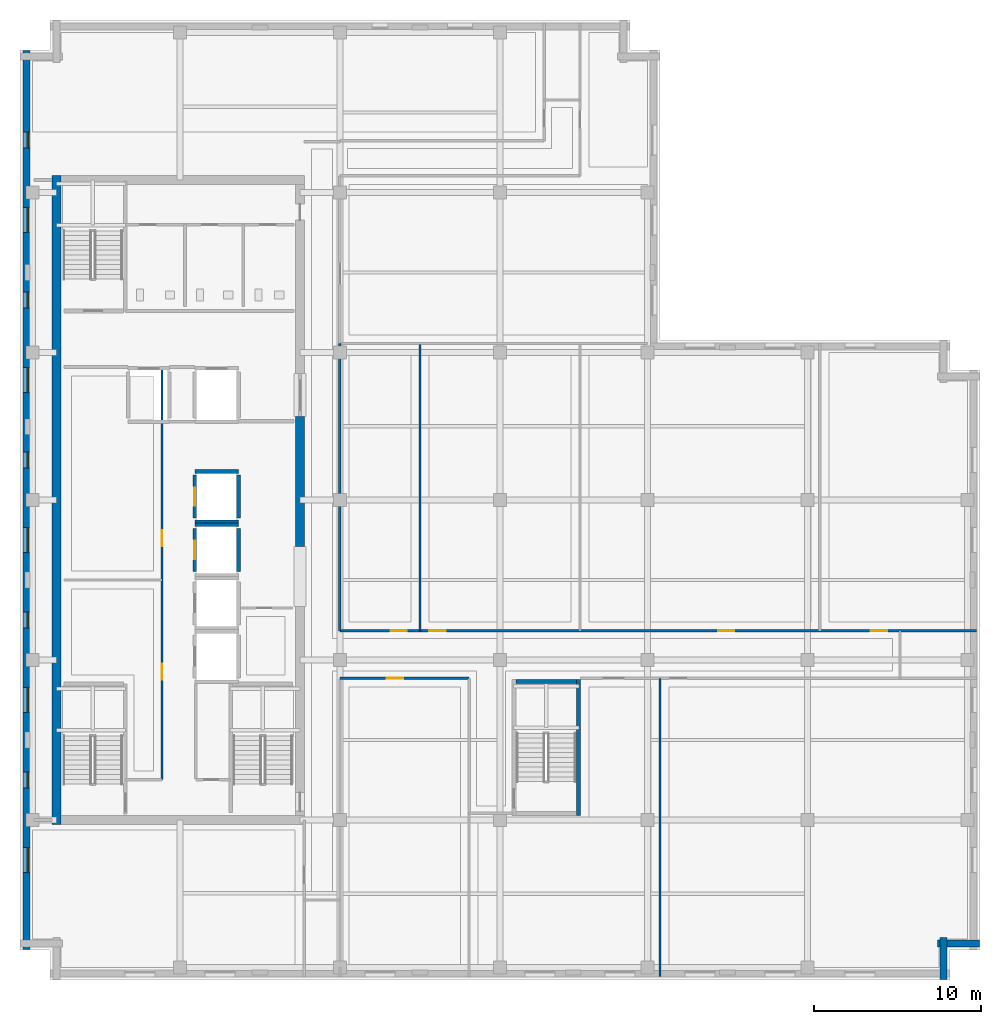
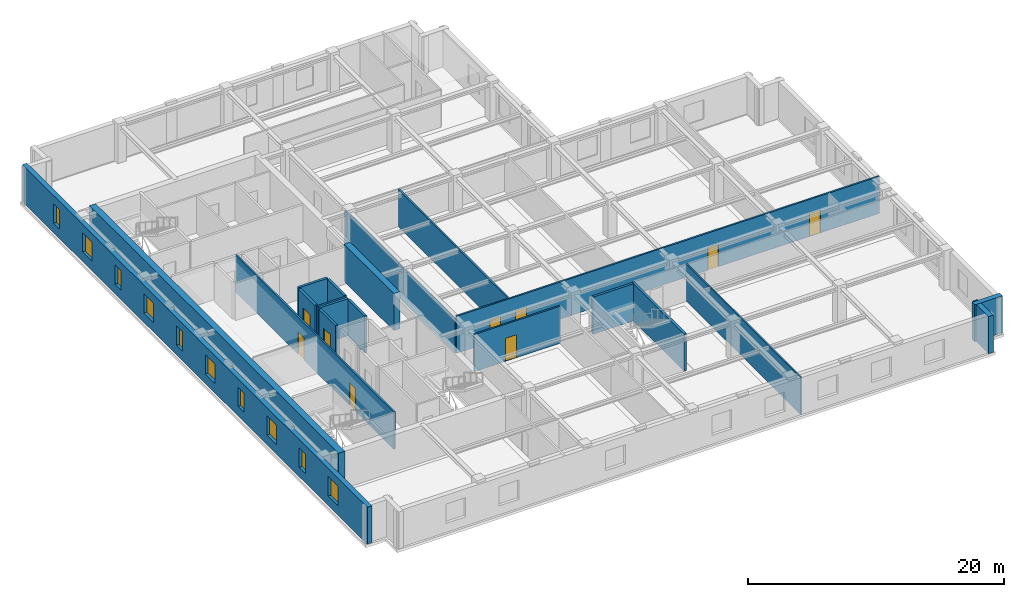
# One storey, part 4 of 10: 20 walls, 10 windows, 9 doors, 19 openings.
"""IFC4 building model written with IfcOpenShell, lengths in metres."""

from ifc_helpers import new_model, si_unit, direction, frame, frame_2d, origin, place, context, subcontext, project, spatial, rectangle, extrude, material, layer, layer_set, type_object, element, fill, save


model = new_model("IFC4")

# Units and contexts
model_context = context("Model", 3, precision=1e-05, world=origin(), true_north=direction((0.0, 1.0)))
body_context = subcontext(model_context, "Body", "Model", "MODEL_VIEW")
ifc_project = project(units=[si_unit("LENGTHUNIT", "METRE"), si_unit("AREAUNIT", "SQUARE_METRE"), si_unit("VOLUMEUNIT", "CUBIC_METRE"), si_unit("PLANEANGLEUNIT", "RADIAN"), si_unit("MASSUNIT", "GRAM", prefix="KILO")], contexts=[model_context])

# Site, building, storey
site_placement = place(None, origin())
site = spatial("IfcSite", under=ifc_project, at=site_placement, CompositionType="ELEMENT")
building_placement = place(site_placement, origin())
building = spatial("IfcBuilding", under=site, at=building_placement, Name="Norrvale University Quadrangle", CompositionType="ELEMENT")
storey_placement = place(building_placement, frame((0.0, 0.0, 233.199951171875)))
storey = spatial("IfcBuildingStorey", under=building, at=storey_placement, Name="L59", CompositionType="ELEMENT", Elevation=233.199951171875)

# Walls
ifc_material_1 = material(Name="Buff Norman Clay Brick Masonry", Category="masonry")
ifc_layer_1 = layer(ifc_material_1, 0.419921875, Name="Buff Norman Clay Brick Masonry")
ifc_layer_set_1 = layer_set([ifc_layer_1], Name="Buff Norman Clay Brick Masonry")
wall_type_1 = type_object("IfcWallType", Name="Wall Buff Brick 420", PredefinedType="SOLIDWALL", material=ifc_layer_set_1)
for number, where, z_axis, x_axis, name in (
    (1, (55.409912109375, 0.0400390625, 0.0), (0.0, 0.0, 1.0), (0.0, 1.0, 0.0), "Exterior Brick Facade Wall L59-02.1"),
    (2, (55.06005859375, 2.18994140625, 0.0), (0.0, 0.0, 1.0), (1.0, 0.0, 0.0), "Exterior Brick Facade Wall L59-03.1"),
):
    element("IfcWall", number, at=place(storey_placement, frame(where, z_axis=z_axis, x_axis=x_axis)), inside=storey, type_object=wall_type_1, Name=name, PredefinedType="SOLIDWALL", context=body_context, shape_type="SweptSolid", body=[
        extrude(rectangle(XDim=2.5, YDim=0.419921875, at=frame_2d((1.25, 0.0))), origin(), (0.0, 0.0, 1.0), 3.5400390625),
    ])

# Wall, openings, windows
wall_1_placement = place(storey_placement, frame((0.389892578125, 55.760009765625, 0.0), z_axis=(0.0, 0.0, 1.0), x_axis=(0.0, -1.0, 0.0)))
wall_1 = element("IfcWall", 3, at=wall_1_placement, inside=storey, type_object=wall_type_1, Name="Exterior Brick Facade Wall L59-14.1", PredefinedType="SOLIDWALL", context=body_context, shape_type="SweptSolid", body=[
    extrude(rectangle(XDim=53.919921875, YDim=0.419921875, at=frame_2d((26.9599609375, 0.0))), origin(), (0.0, 0.0, 1.0), 3.5400390625),
])
opening_1_placement = place(wall_1_placement, frame((4.885009765625, 0.0, 0.89990234375)))
opening_1 = element("IfcOpeningElement", 4, at=opening_1_placement, cuts=wall_1, Name="Opening W04", PredefinedType="OPENING", context=body_context, shape_type="SweptSolid", body=[
    extrude(rectangle(XDim=0.949951171875, YDim=1.85009765625, at=frame_2d((0.47509765625, 0.925048828125))), frame((0.0, 0.221923828125, 0.0), z_axis=(0.0, -1.0, 0.0), x_axis=(1.0, 0.0, 0.0)), (0.0, 0.0, 1.0), 0.44384765625),
])
opening_2_placement = place(wall_1_placement, frame((9.409912109375, 0.0, 0.89990234375)))
opening_2 = element("IfcOpeningElement", 5, at=opening_2_placement, cuts=wall_1, Name="Opening W03", PredefinedType="OPENING", context=body_context, shape_type="SweptSolid", body=[
    extrude(rectangle(XDim=1.5, YDim=1.85009765625, at=frame_2d((0.75, 0.925048828125))), frame((0.0, 0.221923828125, 0.0), z_axis=(0.0, -1.0, 0.0), x_axis=(1.0, 0.0, 0.0)), (0.0, 0.0, 1.0), 0.44384765625),
])
opening_3_placement = place(wall_1_placement, frame((14.485107421875, 0.0, 0.89990234375)))
opening_3 = element("IfcOpeningElement", 6, at=opening_3_placement, cuts=wall_1, Name="Opening W04", PredefinedType="OPENING", context=body_context, shape_type="SweptSolid", body=[
    extrude(rectangle(XDim=0.949951171875, YDim=1.85009765625, at=frame_2d((0.47509765625, 0.925048828125))), frame((0.0, 0.221923828125, 0.0), z_axis=(0.0, -1.0, 0.0), x_axis=(1.0, 0.0, 0.0)), (0.0, 0.0, 1.0), 0.44384765625),
])
opening_4_placement = place(wall_1_placement, frame((19.010009765625, 0.0, 0.89990234375)))
opening_4 = element("IfcOpeningElement", 7, at=opening_4_placement, cuts=wall_1, Name="Opening W03", PredefinedType="OPENING", context=body_context, shape_type="SweptSolid", body=[
    extrude(rectangle(XDim=1.5, YDim=1.85009765625, at=frame_2d((0.75, 0.925048828125))), frame((0.0, 0.221923828125, 0.0), z_axis=(0.0, -1.0, 0.0), x_axis=(1.0, 0.0, 0.0)), (0.0, 0.0, 1.0), 0.44384765625),
])
opening_5_placement = place(wall_1_placement, frame((24.0849609375, 0.0, 0.89990234375)))
opening_5 = element("IfcOpeningElement", 8, at=opening_5_placement, cuts=wall_1, Name="Opening W04", PredefinedType="OPENING", context=body_context, shape_type="SweptSolid", body=[
    extrude(rectangle(XDim=0.949951171875, YDim=1.85009765625, at=frame_2d((0.47509765625, 0.925048828125))), frame((0.0, 0.221923828125, 0.0), z_axis=(0.0, -1.0, 0.0), x_axis=(1.0, 0.0, 0.0)), (0.0, 0.0, 1.0), 0.44384765625),
])
opening_6_placement = place(wall_1_placement, frame((28.610107421875, 0.0, 0.89990234375)))
opening_6 = element("IfcOpeningElement", 9, at=opening_6_placement, cuts=wall_1, Name="Opening W03", PredefinedType="OPENING", context=body_context, shape_type="SweptSolid", body=[
    extrude(rectangle(XDim=1.5, YDim=1.85009765625, at=frame_2d((0.75, 0.925048828125))), frame((0.0, 0.221923828125, 0.0), z_axis=(0.0, -1.0, 0.0), x_axis=(1.0, 0.0, 0.0)), (0.0, 0.0, 1.0), 0.44384765625),
])
opening_7_placement = place(wall_1_placement, frame((33.68505859375, 0.0, 0.89990234375)))
opening_7 = element("IfcOpeningElement", 10, at=opening_7_placement, cuts=wall_1, Name="Opening W04", PredefinedType="OPENING", context=body_context, shape_type="SweptSolid", body=[
    extrude(rectangle(XDim=0.949951171875, YDim=1.85009765625, at=frame_2d((0.47509765625, 0.925048828125))), frame((0.0, 0.221923828125, 0.0), z_axis=(0.0, -1.0, 0.0), x_axis=(1.0, 0.0, 0.0)), (0.0, 0.0, 1.0), 0.44384765625),
])
opening_8_placement = place(wall_1_placement, frame((38.2099609375, 0.0, 0.89990234375)))
opening_8 = element("IfcOpeningElement", 11, at=opening_8_placement, cuts=wall_1, Name="Opening W03", PredefinedType="OPENING", context=body_context, shape_type="SweptSolid", body=[
    extrude(rectangle(XDim=1.5, YDim=1.85009765625, at=frame_2d((0.75, 0.925048828125))), frame((0.0, 0.221923828125, 0.0), z_axis=(0.0, -1.0, 0.0), x_axis=(1.0, 0.0, 0.0)), (0.0, 0.0, 1.0), 0.44384765625),
])
opening_9_placement = place(wall_1_placement, frame((43.284912109375, 0.0, 0.89990234375)))
opening_9 = element("IfcOpeningElement", 12, at=opening_9_placement, cuts=wall_1, Name="Opening W04", PredefinedType="OPENING", context=body_context, shape_type="SweptSolid", body=[
    extrude(rectangle(XDim=0.949951171875, YDim=1.85009765625, at=frame_2d((0.47509765625, 0.925048828125))), frame((0.0, 0.221923828125, 0.0), z_axis=(0.0, -1.0, 0.0), x_axis=(1.0, 0.0, 0.0)), (0.0, 0.0, 1.0), 0.44384765625),
])
opening_10_placement = place(wall_1_placement, frame((47.81005859375, 0.0, 0.89990234375)))
opening_10 = element("IfcOpeningElement", 13, at=opening_10_placement, cuts=wall_1, Name="Opening W03", PredefinedType="OPENING", context=body_context, shape_type="SweptSolid", body=[
    extrude(rectangle(XDim=1.5, YDim=1.85009765625, at=frame_2d((0.75, 0.925048828125))), frame((0.0, 0.221923828125, 0.0), z_axis=(0.0, -1.0, 0.0), x_axis=(1.0, 0.0, 0.0)), (0.0, 0.0, 1.0), 0.44384765625),
])
ifc_material_2 = material(Name="Triple Low-E Argon Glazing", Category="glass")
window_type_1 = type_object("IfcWindowType", Name="Window Narrow Pier 950x2300", PartitioningType="SINGLE_PANEL", PredefinedType="WINDOW", material=ifc_material_2)
window_1_placement = place(opening_1_placement, origin())
window_1 = element("IfcWindow", 14, at=window_1_placement, inside=storey, type_object=window_type_1, Name="Window Narrow Pier 950x2300 WIN-L59-E14-1-01", OverallHeight=1.85009765625, OverallWidth=0.949951171875, PartitioningType="SINGLE_PANEL", PredefinedType="WINDOW", context=body_context, shape_type="SweptSolid", body=[
    extrude(rectangle(XDim=0.949951171875, YDim=1.85009765625, at=frame_2d((0.47509765625, 0.925048828125))), frame((0.0, 0.110107421875, 0.0), z_axis=(0.0, -1.0, 0.0), x_axis=(1.0, 0.0, 0.0)), (0.0, 0.0, 1.0), 0.06005859375),
])
fill(opening_1, window_1)
window_2_placement = place(opening_3_placement, origin())
window_2 = element("IfcWindow", 15, at=window_2_placement, inside=storey, type_object=window_type_1, Name="Window Narrow Pier 950x2300 WIN-L59-E14-1-03", OverallHeight=1.85009765625, OverallWidth=0.949951171875, PartitioningType="SINGLE_PANEL", PredefinedType="WINDOW", context=body_context, shape_type="SweptSolid", body=[
    extrude(rectangle(XDim=0.949951171875, YDim=1.85009765625, at=frame_2d((0.47509765625, 0.925048828125))), frame((0.0, 0.110107421875, 0.0), z_axis=(0.0, -1.0, 0.0), x_axis=(1.0, 0.0, 0.0)), (0.0, 0.0, 1.0), 0.06005859375),
])
fill(opening_3, window_2)
window_3_placement = place(opening_5_placement, origin())
window_3 = element("IfcWindow", 16, at=window_3_placement, inside=storey, type_object=window_type_1, Name="Window Narrow Pier 950x2300 WIN-L59-E14-1-05", OverallHeight=1.85009765625, OverallWidth=0.949951171875, PartitioningType="SINGLE_PANEL", PredefinedType="WINDOW", context=body_context, shape_type="SweptSolid", body=[
    extrude(rectangle(XDim=0.949951171875, YDim=1.85009765625, at=frame_2d((0.47509765625, 0.925048828125))), frame((0.0, 0.110107421875, 0.0), z_axis=(0.0, -1.0, 0.0), x_axis=(1.0, 0.0, 0.0)), (0.0, 0.0, 1.0), 0.06005859375),
])
fill(opening_5, window_3)
window_4_placement = place(opening_7_placement, origin())
window_4 = element("IfcWindow", 17, at=window_4_placement, inside=storey, type_object=window_type_1, Name="Window Narrow Pier 950x2300 WIN-L59-E14-1-07", OverallHeight=1.85009765625, OverallWidth=0.949951171875, PartitioningType="SINGLE_PANEL", PredefinedType="WINDOW", context=body_context, shape_type="SweptSolid", body=[
    extrude(rectangle(XDim=0.949951171875, YDim=1.85009765625, at=frame_2d((0.47509765625, 0.925048828125))), frame((0.0, 0.110107421875, 0.0), z_axis=(0.0, -1.0, 0.0), x_axis=(1.0, 0.0, 0.0)), (0.0, 0.0, 1.0), 0.06005859375),
])
fill(opening_7, window_4)
window_5_placement = place(opening_9_placement, origin())
window_5 = element("IfcWindow", 18, at=window_5_placement, inside=storey, type_object=window_type_1, Name="Window Narrow Pier 950x2300 WIN-L59-E14-1-09", OverallHeight=1.85009765625, OverallWidth=0.949951171875, PartitioningType="SINGLE_PANEL", PredefinedType="WINDOW", context=body_context, shape_type="SweptSolid", body=[
    extrude(rectangle(XDim=0.949951171875, YDim=1.85009765625, at=frame_2d((0.47509765625, 0.925048828125))), frame((0.0, 0.110107421875, 0.0), z_axis=(0.0, -1.0, 0.0), x_axis=(1.0, 0.0, 0.0)), (0.0, 0.0, 1.0), 0.06005859375),
])
fill(opening_9, window_5)
window_type_2 = type_object("IfcWindowType", Name="Window Studio 1500x2300", PartitioningType="DOUBLE_PANEL_VERTICAL", PredefinedType="WINDOW", material=ifc_material_2)
window_6_placement = place(opening_2_placement, origin())
window_6 = element("IfcWindow", 19, at=window_6_placement, inside=storey, type_object=window_type_2, Name="Window Studio 1500x2300 WIN-L59-E14-1-02", OverallHeight=1.85009765625, OverallWidth=1.5, PartitioningType="DOUBLE_PANEL_VERTICAL", PredefinedType="WINDOW", context=body_context, shape_type="SweptSolid", body=[
    extrude(rectangle(XDim=1.5, YDim=1.85009765625, at=frame_2d((0.75, 0.925048828125))), frame((0.0, 0.110107421875, 0.0), z_axis=(0.0, -1.0, 0.0), x_axis=(1.0, 0.0, 0.0)), (0.0, 0.0, 1.0), 0.06005859375),
])
fill(opening_2, window_6)
window_7_placement = place(opening_4_placement, origin())
window_7 = element("IfcWindow", 20, at=window_7_placement, inside=storey, type_object=window_type_2, Name="Window Studio 1500x2300 WIN-L59-E14-1-04", OverallHeight=1.85009765625, OverallWidth=1.5, PartitioningType="DOUBLE_PANEL_VERTICAL", PredefinedType="WINDOW", context=body_context, shape_type="SweptSolid", body=[
    extrude(rectangle(XDim=1.5, YDim=1.85009765625, at=frame_2d((0.75, 0.925048828125))), frame((0.0, 0.110107421875, 0.0), z_axis=(0.0, -1.0, 0.0), x_axis=(1.0, 0.0, 0.0)), (0.0, 0.0, 1.0), 0.06005859375),
])
fill(opening_4, window_7)
window_8_placement = place(opening_6_placement, origin())
window_8 = element("IfcWindow", 21, at=window_8_placement, inside=storey, type_object=window_type_2, Name="Window Studio 1500x2300 WIN-L59-E14-1-06", OverallHeight=1.85009765625, OverallWidth=1.5, PartitioningType="DOUBLE_PANEL_VERTICAL", PredefinedType="WINDOW", context=body_context, shape_type="SweptSolid", body=[
    extrude(rectangle(XDim=1.5, YDim=1.85009765625, at=frame_2d((0.75, 0.925048828125))), frame((0.0, 0.110107421875, 0.0), z_axis=(0.0, -1.0, 0.0), x_axis=(1.0, 0.0, 0.0)), (0.0, 0.0, 1.0), 0.06005859375),
])
fill(opening_6, window_8)
window_9_placement = place(opening_8_placement, origin())
window_9 = element("IfcWindow", 22, at=window_9_placement, inside=storey, type_object=window_type_2, Name="Window Studio 1500x2300 WIN-L59-E14-1-08", OverallHeight=1.85009765625, OverallWidth=1.5, PartitioningType="DOUBLE_PANEL_VERTICAL", PredefinedType="WINDOW", context=body_context, shape_type="SweptSolid", body=[
    extrude(rectangle(XDim=1.5, YDim=1.85009765625, at=frame_2d((0.75, 0.925048828125))), frame((0.0, 0.110107421875, 0.0), z_axis=(0.0, -1.0, 0.0), x_axis=(1.0, 0.0, 0.0)), (0.0, 0.0, 1.0), 0.06005859375),
])
fill(opening_8, window_9)
window_10_placement = place(opening_10_placement, origin())
window_10 = element("IfcWindow", 23, at=window_10_placement, inside=storey, type_object=window_type_2, Name="Window Studio 1500x2300 WIN-L59-E14-1-10", OverallHeight=1.85009765625, OverallWidth=1.5, PartitioningType="DOUBLE_PANEL_VERTICAL", PredefinedType="WINDOW", context=body_context, shape_type="SweptSolid", body=[
    extrude(rectangle(XDim=1.5, YDim=1.85009765625, at=frame_2d((0.75, 0.925048828125))), frame((0.0, 0.110107421875, 0.0), z_axis=(0.0, -1.0, 0.0), x_axis=(1.0, 0.0, 0.0)), (0.0, 0.0, 1.0), 0.06005859375),
])
fill(opening_10, window_10)

# Walls
ifc_material_3 = material(Name="Concrete C60/75", Category="concrete")
ifc_layer_2 = layer(ifc_material_3, 0.550048828125, Name="Concrete C60/75")
ifc_layer_set_2 = layer_set([ifc_layer_2], Name="Concrete C60/75")
wall_type_2 = type_object("IfcWallType", Name="Wall Core 550", PredefinedType="SHEAR", material=ifc_layer_set_2)
wall_2_placement = place(storey_placement, frame((2.199951171875, 9.324951171875, 0.0), z_axis=(0.0, 0.0, 1.0), x_axis=(0.0, 1.0, 0.0)))
element("IfcWall", 24, at=wall_2_placement, inside=storey, type_object=wall_type_2, Name="Tower Core Shear Wall L59-W", PredefinedType="SHEAR", context=body_context, shape_type="SweptSolid", body=[
    extrude(rectangle(XDim=38.949951171875, YDim=0.550048828125, at=frame_2d((19.47509765625, 0.0))), origin(), (0.0, 0.0, 1.0), 3.5400390625),
])
wall_3_placement = place(storey_placement, frame((16.800048828125, 26.0, 0.0), z_axis=(0.0, 0.0, 1.0), x_axis=(0.0, 1.0, 0.0)))
element("IfcWall", 25, at=wall_3_placement, inside=storey, type_object=wall_type_2, Name="Tower Core Shear Wall L59-E2", PredefinedType="SHEAR", context=body_context, shape_type="SweptSolid", body=[
    extrude(rectangle(XDim=7.800048828125, YDim=0.550048828125, at=frame_2d((3.89990234375, 0.0))), origin(), (0.0, 0.0, 1.0), 3.5400390625),
])
ifc_material_4 = material(Name="Standard Academic Gypsum Partition")
ifc_layer_3 = layer(ifc_material_4, 0.125, Name="Standard Academic Gypsum Partition")
ifc_layer_set_3 = layer_set([ifc_layer_3], Name="Standard Academic Gypsum Partition")
wall_type_3 = type_object("IfcWallType", Name="Wall Gypsum Academic 125", PredefinedType="PARTITIONING", material=ifc_layer_set_3)
wall_4_placement = place(storey_placement, frame((38.39990234375, 0.219970703125, 0.0), z_axis=(0.0, 0.0, 1.0), x_axis=(0.0, 1.0, 0.0)))
element("IfcWall", 26, at=wall_4_placement, inside=storey, type_object=wall_type_3, Name="Interior Partition WL-L59-SEP2", PredefinedType="PARTITIONING", context=body_context, shape_type="SweptSolid", body=[
    extrude(rectangle(XDim=17.880126953125, YDim=0.125, at=frame_2d((8.93994140625, 0.0))), origin(), (0.0, 0.0, 1.0), 3.5400390625),
])

# Wall, openings, doors
ifc_material_5 = material(Name="Fire-Rated Gypsum Stud Partition")
ifc_layer_4 = layer(ifc_material_5, 0.14990234375, Name="Fire-Rated Gypsum Stud Partition")
ifc_layer_set_4 = layer_set([ifc_layer_4], Name="Fire-Rated Gypsum Stud Partition")
wall_type_4 = type_object("IfcWallType", Name="Wall Gypsum Corridor 150", PredefinedType="PARTITIONING", material=ifc_layer_set_4)
wall_5_placement = place(storey_placement, frame((8.52001953125, 12.02001953125, 0.0), z_axis=(0.0, 0.0, 1.0), x_axis=(0.0, 1.0, 0.0)))
wall_5 = element("IfcWall", 27, at=wall_5_placement, inside=storey, type_object=wall_type_4, Name="Interior Partition WL-L59-REC-E", PredefinedType="PARTITIONING", context=body_context, shape_type="SweptSolid", body=[
    extrude(rectangle(XDim=24.760009765625, YDim=0.14990234375, at=frame_2d((12.3798828125, 0.0))), origin(), (0.0, 0.0, 1.0), 3.5400390625),
])
opening_11_placement = place(wall_5_placement, frame((6.0, 0.0, 0.0)))
opening_11 = element("IfcOpeningElement", 28, at=opening_11_placement, cuts=wall_5, Name="Opening D07", PredefinedType="OPENING", context=body_context, shape_type="SweptSolid", body=[
    extrude(rectangle(XDim=0.949951171875, YDim=2.14990234375, at=frame_2d((0.47509765625, 1.074951171875))), frame((0.0, 0.0869140625, 0.0), z_axis=(0.0, -1.0, 0.0), x_axis=(1.0, 0.0, 0.0)), (0.0, 0.0, 1.0), 0.173828125),
])
opening_12_placement = place(wall_5_placement, frame((14.0, 0.0, 0.0)))
opening_12 = element("IfcOpeningElement", 29, at=opening_12_placement, cuts=wall_5, Name="Opening D07", PredefinedType="OPENING", context=body_context, shape_type="SweptSolid", body=[
    extrude(rectangle(XDim=0.949951171875, YDim=2.14990234375, at=frame_2d((0.47509765625, 1.074951171875))), frame((0.0, 0.0869140625, 0.0), z_axis=(0.0, -1.0, 0.0), x_axis=(1.0, 0.0, 0.0)), (0.0, 0.0, 1.0), 0.173828125),
])
ifc_material_6 = material(Name="Solid-Core Maple Door", Category="wood")
door_type_1 = type_object("IfcDoorType", Name="Door Office 950x2150", OperationType="NOTDEFINED", PredefinedType="DOOR", material=ifc_material_6)
door_1_placement = place(opening_11_placement, origin())
door_1 = element("IfcDoor", 30, at=door_1_placement, inside=storey, type_object=door_type_1, Name="Door Office 950x2150 DR-L59-REC1", OperationType="SINGLE_SWING_LEFT", OverallHeight=2.14990234375, OverallWidth=0.949951171875, PredefinedType="DOOR", context=body_context, shape_type="SweptSolid", body=[
    extrude(rectangle(XDim=0.949951171875, YDim=2.14990234375, at=frame_2d((0.47509765625, 1.074951171875))), frame((0.0, 0.02490234375, 0.0), z_axis=(0.0, -1.0, 0.0), x_axis=(1.0, 0.0, 0.0)), (0.0, 0.0, 1.0), 0.050048828125),
])
fill(opening_11, door_1)
door_2_placement = place(opening_12_placement, origin())
door_2 = element("IfcDoor", 31, at=door_2_placement, inside=storey, type_object=door_type_1, Name="Door Office 950x2150 DR-L59-REC2", OperationType="SINGLE_SWING_RIGHT", OverallHeight=2.14990234375, OverallWidth=0.949951171875, PredefinedType="DOOR", context=body_context, shape_type="SweptSolid", body=[
    extrude(rectangle(XDim=0.949951171875, YDim=2.14990234375, at=frame_2d((0.47509765625, 1.074951171875))), frame((0.0, 0.02490234375, 0.0), z_axis=(0.0, -1.0, 0.0), x_axis=(1.0, 0.0, 0.0)), (0.0, 0.0, 1.0), 0.050048828125),
])
fill(opening_12, door_2)

# Wall, opening, door
wall_6_placement = place(storey_placement, frame((19.199951171875, 18.10009765625, 0.0), z_axis=(0.0, 0.0, 1.0), x_axis=(1.0, 0.0, 0.0)))
wall_6 = element("IfcWall", 32, at=wall_6_placement, inside=storey, type_object=wall_type_4, Name="Interior Partition WL-L59-SEW1", PredefinedType="PARTITIONING", context=body_context, shape_type="SweptSolid", body=[
    extrude(rectangle(XDim=7.75, YDim=0.14990234375, at=frame_2d((3.875, 0.0))), origin(), (0.0, 0.0, 1.0), 3.5400390625),
])
opening_13_placement = place(wall_6_placement, frame((2.800048828125, 0.0, 0.0)))
opening_13 = element("IfcOpeningElement", 33, at=opening_13_placement, cuts=wall_6, Name="Opening D04", PredefinedType="OPENING", context=body_context, shape_type="SweptSolid", body=[
    extrude(rectangle(XDim=1.0, YDim=2.199951171875, at=frame_2d((0.5, 1.10009765625))), frame((0.0, 0.0869140625, 0.0), z_axis=(0.0, -1.0, 0.0), x_axis=(1.0, 0.0, 0.0)), (0.0, 0.0, 1.0), 0.173828125),
])
ifc_material_7 = material(Name="Solid-Core Oak Fire Door", Category="wood")
door_type_2 = type_object("IfcDoorType", Name="Door Corridor 1000x2200", OperationType="NOTDEFINED", PredefinedType="DOOR", material=ifc_material_7)
door_3_placement = place(opening_13_placement, origin())
door_3 = element("IfcDoor", 34, at=door_3_placement, inside=storey, type_object=door_type_2, Name="Door Corridor 1000x2200 DR-L59-SE1", OperationType="SINGLE_SWING_LEFT", OverallHeight=2.199951171875, OverallWidth=1.0, PredefinedType="DOOR", context=body_context, shape_type="SweptSolid", body=[
    extrude(rectangle(XDim=1.0, YDim=2.199951171875, at=frame_2d((0.5, 1.10009765625))), frame((0.0, 0.02490234375, 0.0), z_axis=(0.0, -1.0, 0.0), x_axis=(1.0, 0.0, 0.0)), (0.0, 0.0, 1.0), 0.050048828125),
])
fill(opening_13, door_3)

# Wall
wall_7_placement = place(storey_placement, frame((24.0, 20.949951171875, 0.0), z_axis=(0.0, 0.0, 1.0), x_axis=(0.0, 1.0, 0.0)))
element("IfcWall", 35, at=wall_7_placement, inside=storey, type_object=wall_type_4, Name="Interior Partition WL-L59-MEP01", PredefinedType="PARTITIONING", context=body_context, shape_type="SweptSolid", body=[
    extrude(rectangle(XDim=17.22998046875, YDim=0.14990234375, at=frame_2d((8.614990234375, 0.0))), origin(), (0.0, 0.0, 1.0), 3.5400390625),
])

# Wall, openings, doors
wall_8_placement = place(storey_placement, frame((19.199951171875, 20.949951171875, 0.0), z_axis=(0.0, 0.0, 1.0), x_axis=(1.0, 0.0, 0.0)))
wall_8 = element("IfcWall", 36, at=wall_8_placement, inside=storey, type_object=wall_type_4, Name="Interior Partition WL-L59-MECW", PredefinedType="PARTITIONING", context=body_context, shape_type="SweptSolid", body=[
    extrude(rectangle(XDim=38.179931640625, YDim=0.14990234375, at=frame_2d((19.08984375, 0.0))), origin(), (0.0, 0.0, 1.0), 3.5400390625),
])
opening_14_placement = place(wall_8_placement, frame((3.050048828125, 0.0, 0.0)))
opening_14 = element("IfcOpeningElement", 37, at=opening_14_placement, cuts=wall_8, Name="Opening D07", PredefinedType="OPENING", context=body_context, shape_type="SweptSolid", body=[
    extrude(rectangle(XDim=0.949951171875, YDim=2.14990234375, at=frame_2d((0.47509765625, 1.074951171875))), frame((0.0, 0.0869140625, 0.0), z_axis=(0.0, -1.0, 0.0), x_axis=(1.0, 0.0, 0.0)), (0.0, 0.0, 1.0), 0.173828125),
])
opening_15_placement = place(wall_8_placement, frame((5.35009765625, 0.0, 0.0)))
opening_15 = element("IfcOpeningElement", 38, at=opening_15_placement, cuts=wall_8, Name="Opening D04", PredefinedType="OPENING", context=body_context, shape_type="SweptSolid", body=[
    extrude(rectangle(XDim=1.0, YDim=2.199951171875, at=frame_2d((0.5, 1.10009765625))), frame((0.0, 0.0869140625, 0.0), z_axis=(0.0, -1.0, 0.0), x_axis=(1.0, 0.0, 0.0)), (0.0, 0.0, 1.0), 0.173828125),
])
opening_16_placement = place(wall_8_placement, frame((22.699951171875, 0.0, 0.0)))
opening_16 = element("IfcOpeningElement", 39, at=opening_16_placement, cuts=wall_8, Name="Opening D07", PredefinedType="OPENING", context=body_context, shape_type="SweptSolid", body=[
    extrude(rectangle(XDim=0.949951171875, YDim=2.14990234375, at=frame_2d((0.47509765625, 1.074951171875))), frame((0.0, 0.0869140625, 0.0), z_axis=(0.0, -1.0, 0.0), x_axis=(1.0, 0.0, 0.0)), (0.0, 0.0, 1.0), 0.173828125),
])
opening_17_placement = place(wall_8_placement, frame((31.85009765625, 0.0, 0.0)))
opening_17 = element("IfcOpeningElement", 40, at=opening_17_placement, cuts=wall_8, Name="Opening D04", PredefinedType="OPENING", context=body_context, shape_type="SweptSolid", body=[
    extrude(rectangle(XDim=1.0, YDim=2.199951171875, at=frame_2d((0.5, 1.10009765625))), frame((0.0, 0.0869140625, 0.0), z_axis=(0.0, -1.0, 0.0), x_axis=(1.0, 0.0, 0.0)), (0.0, 0.0, 1.0), 0.173828125),
])
door_4_placement = place(opening_15_placement, origin())
door_4 = element("IfcDoor", 41, at=door_4_placement, inside=storey, type_object=door_type_2, Name="Door Corridor 1000x2200 DR-L59-ME02", OperationType="SINGLE_SWING_RIGHT", OverallHeight=2.199951171875, OverallWidth=1.0, PredefinedType="DOOR", context=body_context, shape_type="SweptSolid", body=[
    extrude(rectangle(XDim=1.0, YDim=2.199951171875, at=frame_2d((0.5, 1.10009765625))), frame((0.0, 0.02490234375, 0.0), z_axis=(0.0, -1.0, 0.0), x_axis=(1.0, 0.0, 0.0)), (0.0, 0.0, 1.0), 0.050048828125),
])
fill(opening_15, door_4)
door_5_placement = place(opening_17_placement, origin())
door_5 = element("IfcDoor", 42, at=door_5_placement, inside=storey, type_object=door_type_2, Name="Door Corridor 1000x2200 DR-L59-ME04", OperationType="SINGLE_SWING_RIGHT", OverallHeight=2.199951171875, OverallWidth=1.0, PredefinedType="DOOR", context=body_context, shape_type="SweptSolid", body=[
    extrude(rectangle(XDim=1.0, YDim=2.199951171875, at=frame_2d((0.5, 1.10009765625))), frame((0.0, 0.02490234375, 0.0), z_axis=(0.0, -1.0, 0.0), x_axis=(1.0, 0.0, 0.0)), (0.0, 0.0, 1.0), 0.050048828125),
])
fill(opening_17, door_5)
door_6_placement = place(opening_14_placement, origin())
door_6 = element("IfcDoor", 43, at=door_6_placement, inside=storey, type_object=door_type_1, Name="Door Office 950x2150 DR-L59-ME01", OperationType="SINGLE_SWING_LEFT", OverallHeight=2.14990234375, OverallWidth=0.949951171875, PredefinedType="DOOR", context=body_context, shape_type="SweptSolid", body=[
    extrude(rectangle(XDim=0.949951171875, YDim=2.14990234375, at=frame_2d((0.47509765625, 1.074951171875))), frame((0.0, 0.02490234375, 0.0), z_axis=(0.0, -1.0, 0.0), x_axis=(1.0, 0.0, 0.0)), (0.0, 0.0, 1.0), 0.050048828125),
])
fill(opening_14, door_6)
door_7_placement = place(opening_16_placement, origin())
door_7 = element("IfcDoor", 44, at=door_7_placement, inside=storey, type_object=door_type_1, Name="Door Office 950x2150 DR-L59-ME03", OperationType="SINGLE_SWING_LEFT", OverallHeight=2.14990234375, OverallWidth=0.949951171875, PredefinedType="DOOR", context=body_context, shape_type="SweptSolid", body=[
    extrude(rectangle(XDim=0.949951171875, YDim=2.14990234375, at=frame_2d((0.47509765625, 1.074951171875))), frame((0.0, 0.02490234375, 0.0), z_axis=(0.0, -1.0, 0.0), x_axis=(1.0, 0.0, 0.0)), (0.0, 0.0, 1.0), 0.050048828125),
])
fill(opening_16, door_7)

# Walls
wall_9_placement = place(storey_placement, frame((19.199951171875, 20.949951171875, 0.0), z_axis=(0.0, 0.0, 1.0), x_axis=(0.0, 1.0, 0.0)))
element("IfcWall", 45, at=wall_9_placement, inside=storey, type_object=wall_type_4, Name="Interior Partition WL-L59-ME-W", PredefinedType="PARTITIONING", context=body_context, shape_type="SweptSolid", body=[
    extrude(rectangle(XDim=17.22998046875, YDim=0.14990234375, at=frame_2d((8.614990234375, 0.0))), origin(), (0.0, 0.0, 1.0), 3.18408203125),
])
ifc_material_8 = material(Name="Concrete Blockwork 20 MPa Fire Shaft", Category="masonry")
ifc_layer_5 = layer(ifc_material_8, 0.219970703125, Name="Concrete Blockwork 20 MPa Fire Shaft")
ifc_layer_set_5 = layer_set([ifc_layer_5], Name="Concrete Blockwork 20 MPa Fire Shaft")
wall_type_5 = type_object("IfcWallType", Name="Wall Shaft 220", PredefinedType="SOLIDWALL", material=ifc_layer_set_5)
wall_10_placement = place(storey_placement, frame((33.510009765625, 9.8798828125, 0.0), z_axis=(0.0, 0.0, 1.0), x_axis=(0.0, 1.0, 0.0)))
element("IfcWall", 46, at=wall_10_placement, inside=storey, type_object=wall_type_5, Name="Stair ST-04 East Shaft Wall L59", PredefinedType="SOLIDWALL", context=body_context, shape_type="SweptSolid", body=[
    extrude(rectangle(XDim=8.14013671875, YDim=0.219970703125, at=frame_2d((4.070068359375, 0.0))), origin(), (0.0, 0.0, 1.0), 3.5400390625),
])
wall_11_placement = place(storey_placement, frame((29.75, 17.909912109375, 0.0), z_axis=(0.0, 0.0, 1.0), x_axis=(1.0, 0.0, 0.0)))
element("IfcWall", 47, at=wall_11_placement, inside=storey, type_object=wall_type_5, Name="Stair ST-04 North Shaft Wall L59", PredefinedType="SOLIDWALL", context=body_context, shape_type="SweptSolid", body=[
    extrude(rectangle(XDim=3.64990234375, YDim=0.219970703125, at=frame_2d((1.824951171875, 0.0))), origin(), (0.0, 0.0, 1.0), 3.5400390625),
])

# Wall, opening, door
wall_12_placement = place(storey_placement, frame((10.489990234375, 24.510009765625, 0.0), z_axis=(0.0, 0.0, 1.0), x_axis=(0.0, 1.0, 0.0)))
wall_12 = element("IfcWall", 48, at=wall_12_placement, inside=storey, type_object=wall_type_5, Name="Hoistway PL-07 West Wall L59", PredefinedType="SOLIDWALL", context=body_context, shape_type="SweptSolid", body=[
    extrude(rectangle(XDim=2.580078125, YDim=0.219970703125, at=frame_2d((1.2900390625, 0.0))), origin(), (0.0, 0.0, 1.0), 3.5400390625),
])
opening_18_placement = place(wall_12_placement, frame((0.739990234375, 0.0, 0.0)))
opening_18 = element("IfcOpeningElement", 49, at=opening_18_placement, cuts=wall_12, Name="Opening LD1", PredefinedType="OPENING", context=body_context, shape_type="SweptSolid", body=[
    extrude(rectangle(XDim=1.10009765625, YDim=2.199951171875, at=frame_2d((0.550048828125, 1.10009765625))), frame((0.0, 0.1220703125, 0.0), z_axis=(0.0, -1.0, 0.0), x_axis=(1.0, 0.0, 0.0)), (0.0, 0.0, 1.0), 0.243896484375),
])
ifc_material_9 = material(Name="Stainless Steel 316L Lift Landing Door", Category="steel")
door_type_3 = type_object("IfcDoorType", Name="Door Lift Landing 1100x2200", OperationType="DOUBLE_DOOR_SLIDING", PredefinedType="DOOR", material=ifc_material_9)
door_8_placement = place(opening_18_placement, origin())
door_8 = element("IfcDoor", 50, at=door_8_placement, inside=storey, type_object=door_type_3, Name="Elevator Landing Door DR-L59-PL-07", OperationType="DOUBLE_DOOR_SLIDING", OverallHeight=2.199951171875, OverallWidth=1.10009765625, PredefinedType="DOOR", context=body_context, shape_type="SweptSolid", body=[
    extrude(rectangle(XDim=1.10009765625, YDim=2.199951171875, at=frame_2d((0.550048828125, 1.10009765625))), frame((0.0, 0.02490234375, 0.0), z_axis=(0.0, -1.0, 0.0), x_axis=(1.0, 0.0, 0.0)), (0.0, 0.0, 1.0), 0.050048828125),
])
fill(opening_18, door_8)

# Walls
wall_13_placement = place(storey_placement, frame((13.110107421875, 24.510009765625, 0.0), z_axis=(0.0, 0.0, 1.0), x_axis=(0.0, 1.0, 0.0)))
element("IfcWall", 51, at=wall_13_placement, inside=storey, type_object=wall_type_5, Name="Hoistway PL-07 East Wall L59", PredefinedType="SOLIDWALL", context=body_context, shape_type="SweptSolid", body=[
    extrude(rectangle(XDim=2.580078125, YDim=0.219970703125, at=frame_2d((1.2900390625, 0.0))), origin(), (0.0, 0.0, 1.0), 3.5400390625),
])
wall_14_placement = place(storey_placement, frame((10.489990234375, 27.31005859375, 0.0), z_axis=(0.0, 0.0, 1.0), x_axis=(1.0, 0.0, 0.0)))
element("IfcWall", 52, at=wall_14_placement, inside=storey, type_object=wall_type_5, Name="Hoistway PL-07 North Wall L59", PredefinedType="SOLIDWALL", context=body_context, shape_type="SweptSolid", body=[
    extrude(rectangle(XDim=2.6201171875, YDim=0.219970703125, at=frame_2d((1.31005859375, 0.0))), origin(), (0.0, 0.0, 1.0), 3.5400390625),
])

# Wall, opening, door
wall_15_placement = place(storey_placement, frame((10.489990234375, 27.7099609375, 0.0), z_axis=(0.0, 0.0, 1.0), x_axis=(0.0, 1.0, 0.0)))
wall_15 = element("IfcWall", 53, at=wall_15_placement, inside=storey, type_object=wall_type_5, Name="Hoistway PL-08 West Wall L59", PredefinedType="SOLIDWALL", context=body_context, shape_type="SweptSolid", body=[
    extrude(rectangle(XDim=2.580078125, YDim=0.219970703125, at=frame_2d((1.2900390625, 0.0))), origin(), (0.0, 0.0, 1.0), 3.5400390625),
])
opening_19_placement = place(wall_15_placement, frame((0.739990234375, 0.0, 0.0)))
opening_19 = element("IfcOpeningElement", 54, at=opening_19_placement, cuts=wall_15, Name="Opening LD1", PredefinedType="OPENING", context=body_context, shape_type="SweptSolid", body=[
    extrude(rectangle(XDim=1.10009765625, YDim=2.199951171875, at=frame_2d((0.550048828125, 1.10009765625))), frame((0.0, 0.1220703125, 0.0), z_axis=(0.0, -1.0, 0.0), x_axis=(1.0, 0.0, 0.0)), (0.0, 0.0, 1.0), 0.243896484375),
])
door_9_placement = place(opening_19_placement, origin())
door_9 = element("IfcDoor", 55, at=door_9_placement, inside=storey, type_object=door_type_3, Name="Elevator Landing Door DR-L59-PL-08", OperationType="DOUBLE_DOOR_SLIDING", OverallHeight=2.199951171875, OverallWidth=1.10009765625, PredefinedType="DOOR", context=body_context, shape_type="SweptSolid", body=[
    extrude(rectangle(XDim=1.10009765625, YDim=2.199951171875, at=frame_2d((0.550048828125, 1.10009765625))), frame((0.0, 0.02490234375, 0.0), z_axis=(0.0, -1.0, 0.0), x_axis=(1.0, 0.0, 0.0)), (0.0, 0.0, 1.0), 0.050048828125),
])
fill(opening_19, door_9)

# Walls
wall_16_placement = place(storey_placement, frame((13.110107421875, 27.7099609375, 0.0), z_axis=(0.0, 0.0, 1.0), x_axis=(0.0, 1.0, 0.0)))
element("IfcWall", 56, at=wall_16_placement, inside=storey, type_object=wall_type_5, Name="Hoistway PL-08 East Wall L59", PredefinedType="SOLIDWALL", context=body_context, shape_type="SweptSolid", body=[
    extrude(rectangle(XDim=2.580078125, YDim=0.219970703125, at=frame_2d((1.2900390625, 0.0))), origin(), (0.0, 0.0, 1.0), 3.5400390625),
])
for number, where, z_axis, x_axis, name in (
    (57, (10.489990234375, 27.489990234375, 0.0), (0.0, 0.0, 1.0), (1.0, 0.0, 0.0), "Hoistway PL-08 South Wall L59"),
    (58, (10.489990234375, 30.510009765625, 0.0), (0.0, 0.0, 1.0), (1.0, 0.0, 0.0), "Hoistway PL-08 North Wall L59"),
):
    element("IfcWall", number, at=place(storey_placement, frame(where, z_axis=z_axis, x_axis=x_axis)), inside=storey, type_object=wall_type_5, Name=name, PredefinedType="SOLIDWALL", context=body_context, shape_type="SweptSolid", body=[
        extrude(rectangle(XDim=2.6201171875, YDim=0.219970703125, at=frame_2d((1.31005859375, 0.0))), origin(), (0.0, 0.0, 1.0), 3.5400390625),
    ])

save(model, "model.ifc")
